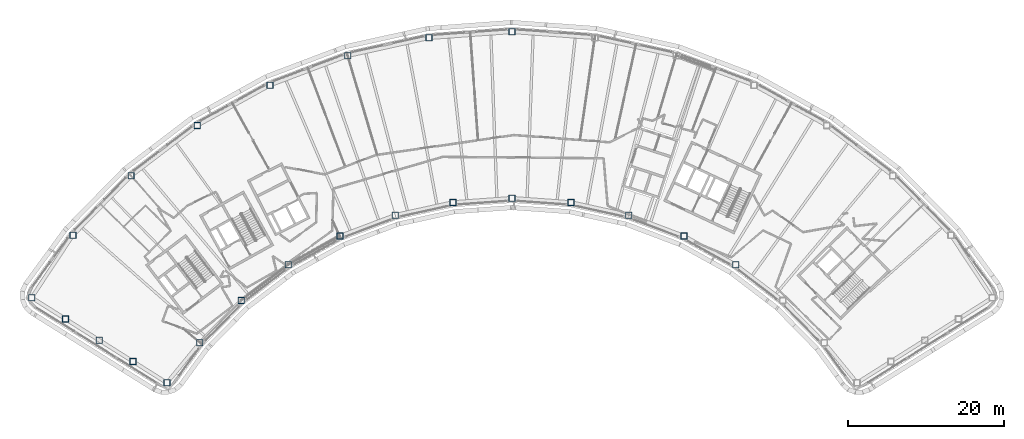
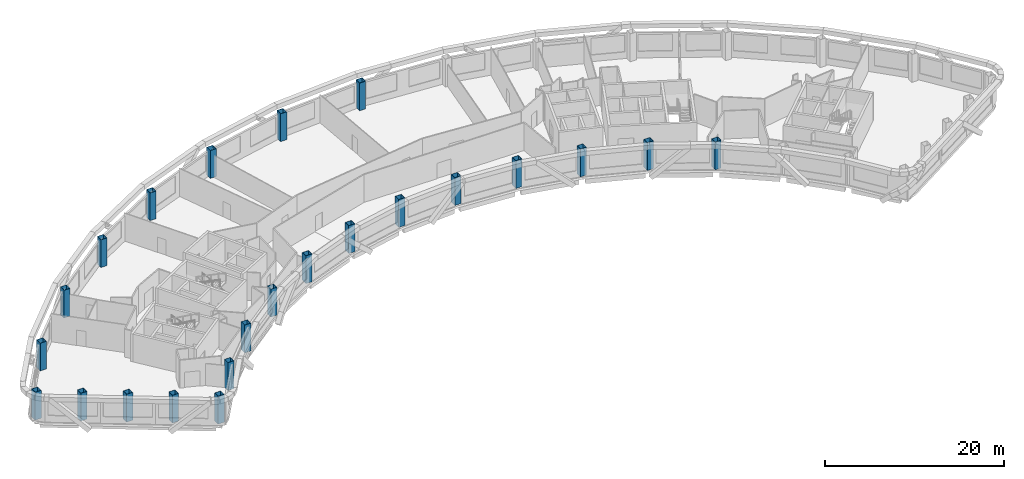
# One storey, part 1 of 18: 23 columns.
"""IFC4 building model written with IfcOpenShell, lengths in metres."""

from ifc_helpers import new_model, si_unit, direction, frame, origin, origin_2d, place, context, subcontext, project, spatial, hollow_rectangle, extrude, material, material_profile, profile_set, type_object, element, save


model = new_model("IFC4")

# Units and contexts
model_context = context("Model", 3, precision=1e-05, world=origin(), true_north=direction((0.0, 1.0)))
body_context = subcontext(model_context, "Body", "Model", "MODEL_VIEW")
ifc_project = project(units=[si_unit("LENGTHUNIT", "METRE"), si_unit("AREAUNIT", "SQUARE_METRE"), si_unit("VOLUMEUNIT", "CUBIC_METRE"), si_unit("PLANEANGLEUNIT", "RADIAN"), si_unit("MASSUNIT", "GRAM", prefix="KILO")], contexts=[model_context])

# Site, building, storey
site_placement = place(None, origin())
site = spatial("IfcSite", under=ifc_project, at=site_placement, CompositionType="ELEMENT")
building_placement = place(site_placement, origin())
building = spatial("IfcBuilding", under=site, at=building_placement, Name="Tuul Gate Civic Tower", CompositionType="ELEMENT")
storey_placement = place(building_placement, frame((0.0, 0.0, 234.699951171875)))
storey = spatial("IfcBuildingStorey", under=building, at=storey_placement, Name="Level 53", CompositionType="ELEMENT", Elevation=234.699951171875)

# Columns
ifc_material = material(Name="Steel S355", Category="steel")
ifc_material_profile = material_profile(ifc_material, hollow_rectangle(XDim=0.800048828125, YDim=0.800048828125, WallThickness=0.031982421875, at=origin_2d()), Name="BOX800x800x32")
ifc_profile_set = profile_set([ifc_material_profile], Name="Steel S355")
column_type = type_object("IfcColumnType", Name="STR-COLUMN-BOX800x800x32", PredefinedType="COLUMN", material=ifc_profile_set)
for number, where, z_axis, x_axis, name in (
    (1, (5.93994140625, 18.56494140625, 0.0), (0.0, 0.0, 1.0), (1.0, 0.0, 0.0), "Column"),
    (2, (-4.7099609375, 17.7939453125, 0.0), (0.0, 0.0, 1.0), (1.0, 0.0, 0.0), "Column"),
    (3, (-15.136962890625, 15.49609375, 0.0), (0.0, 0.0, 1.0), (1.0, 0.0, 0.0), "Column"),
    (4, (-25.1240234375, 11.718994140625, 0.0), (0.0, 0.0, 1.0), (1.0, 0.0, 0.0), "Column"),
    (5, (-34.462890625, 6.54296875, 0.0), (0.0, 0.0, 1.0), (1.0, 0.0, 0.0), "Column"),
    (6, (-42.9580078125, 0.074951171875, 0.0), (0.0, 0.0, 1.0), (1.0, 0.0, 0.0), "Column"),
    (7, (-50.431884765625, -7.550048828125, 0.0), (0.0, 0.0, 1.0), (1.0, 0.0, 0.0), "Column"),
    (8, (-55.73095703125, -15.56298828125, 0.0), (0.0, 0.0, 1.0), (1.0, 0.0, 0.0), "Column"),
    (9, (-51.388916015625, -18.297119140625, 0.0), (0.0, 0.0, 1.0), (1.0, 0.0, 0.0), "Column"),
    (10, (-47.0458984375, -21.031982421875, 0.0), (0.0, 0.0, 1.0), (1.0, 0.0, 0.0), "Column"),
    (11, (-42.7041015625, -23.76708984375, 0.0), (0.0, 0.0, 1.0), (1.0, 0.0, 0.0), "Column"),
    (12, (-38.361083984375, -26.5009765625, 0.0), (0.0, 0.0, 1.0), (1.0, 0.0, 0.0), "Column"),
    (13, (-34.14111328125, -21.35888671875, 0.0), (0.0, 0.0, 1.0), (1.0, 0.0, 0.0), "Column"),
    (14, (-28.826904296875, -15.93798828125, 0.0), (0.0, 0.0, 1.0), (1.0, 0.0, 0.0), "Column"),
    (15, (-22.787109375, -11.339111328125, 0.0), (0.0, 0.0, 1.0), (1.0, 0.0, 0.0), "Column"),
    (16, (-16.14697265625, -7.657958984375, 0.0), (0.0, 0.0, 1.0), (1.0, 0.0, 0.0), "Column"),
    (17, (-9.0458984375, -4.972900390625, 0.0), (0.0, 0.0, 1.0), (1.0, 0.0, 0.0), "Column"),
    (18, (-1.632080078125, -3.339111328125, 0.0), (0.0, 0.0, 1.0), (1.0, 0.0, 0.0), "Column"),
    (19, (5.93994140625, -2.7900390625, 0.0), (0.0, 0.0, 1.0), (1.0, 0.0, 0.0), "Column"),
    (20, (13.511962890625, -3.339111328125, 0.0), (0.0, 0.0, 1.0), (1.0, 0.0, 0.0), "Column"),
    (21, (20.925048828125, -4.972900390625, 0.0), (0.0, 0.0, 1.0), (1.0, 0.0, 0.0), "Column"),
    (22, (28.02587890625, -7.657958984375, 0.0), (0.0, 0.0, 1.0), (1.0, 0.0, 0.0), "Column"),
    (23, (34.666015625, -11.339111328125, 0.0), (0.0, 0.0, 1.0), (1.0, 0.0, 0.0), "Column"),
):
    element("IfcColumn", number, at=place(storey_placement, frame(where, z_axis=z_axis, x_axis=x_axis)), inside=storey, type_object=column_type, Name=name, PredefinedType="COLUMN", context=body_context, shape_type="SweptSolid", body=[
        extrude(hollow_rectangle(XDim=0.800048828125, YDim=0.800048828125, WallThickness=0.031982421875, at=origin_2d()), origin(), (0.0, 0.0, 1.0), 3.800048828125),
    ])

save(model, "model.ifc")
